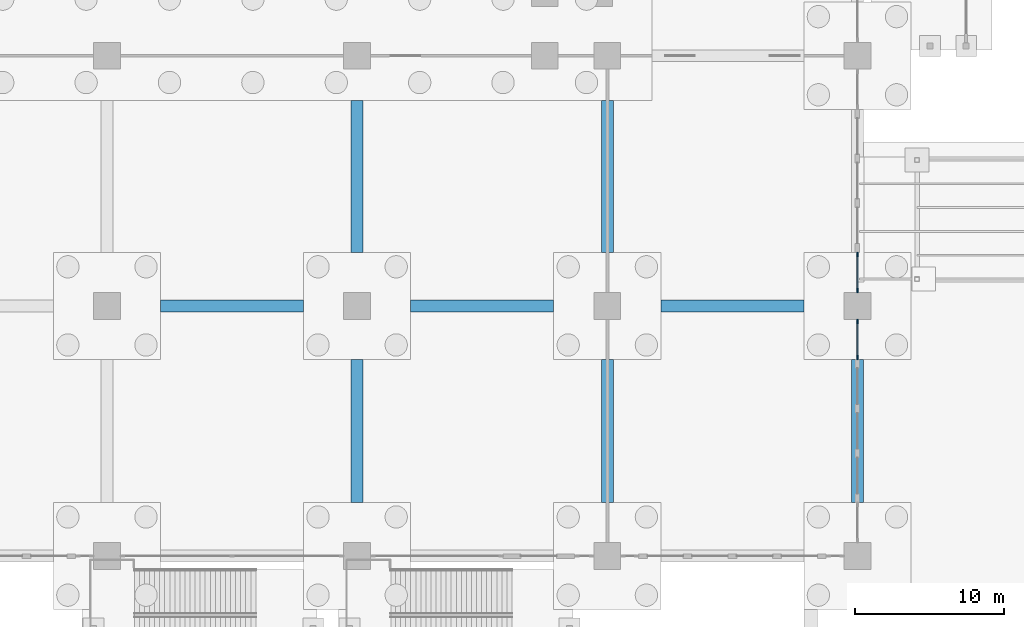
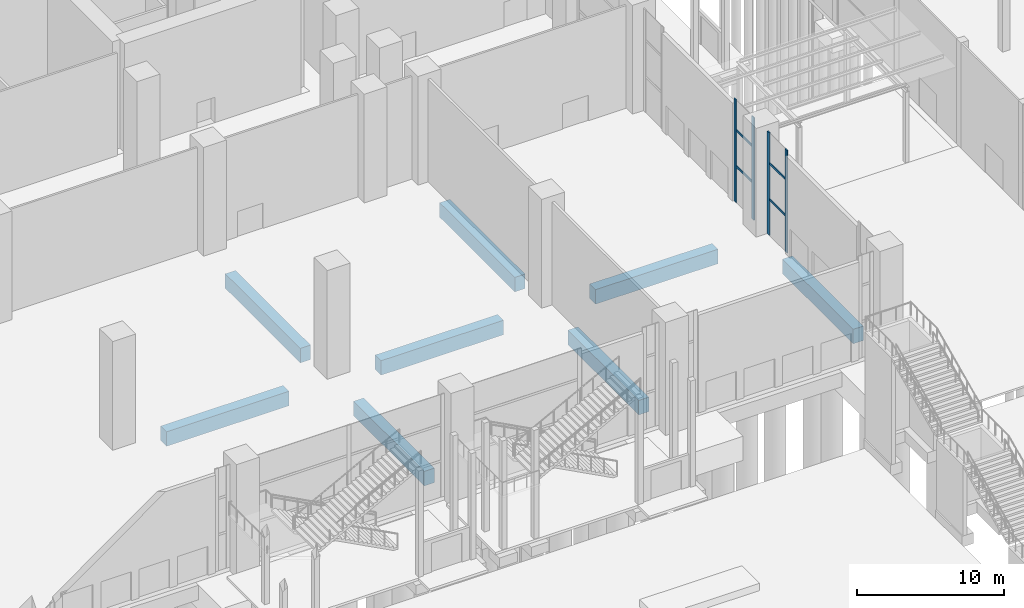
# One storey, part 20 of 72: 8 beams, 8 members, 2 elements without a shape of their own.
"""IFC4 building model written with IfcOpenShell, lengths in metres."""

from ifc_helpers import new_model, si_unit, direction, frame, origin, origin_2d, place, context, subcontext, project, spatial, rectangle, extrude, material, material_profile, profile_set, type_object, element, aggregate, save


model = new_model("IFC4")

# Units and contexts
model_context = context("Model", 3, precision=1e-05, world=origin(), true_north=direction((0.0, 1.0)))
body_context = subcontext(model_context, "Body", "Model", "MODEL_VIEW")
ifc_project = project(units=[si_unit("LENGTHUNIT", "METRE"), si_unit("AREAUNIT", "SQUARE_METRE"), si_unit("VOLUMEUNIT", "CUBIC_METRE"), si_unit("PLANEANGLEUNIT", "RADIAN"), si_unit("MASSUNIT", "GRAM", prefix="KILO")], contexts=[model_context])

# Site, building, storey
site_placement = place(None, origin())
site = spatial("IfcSite", under=ifc_project, at=site_placement, CompositionType="ELEMENT")
building_placement = place(site_placement, origin())
building = spatial("IfcBuilding", under=site, at=building_placement, Name="Candeia Pilgrim Tower and Theatre", CompositionType="ELEMENT")
storey_placement = place(building_placement, origin())
storey = spatial("IfcBuildingStorey", under=building, at=storey_placement, Name="L00", CompositionType="ELEMENT", Elevation=0.0)

# Curtain wall, members
ifc_material_1 = material(Name="Aluminium framed podium glazing", Category="aluminium")
curtain_wall_type = type_object("IfcCurtainWallType", Name="CW-P curtain wall", PredefinedType="NOTDEFINED", material=ifc_material_1)
curtain_wall_1_placement = place(storey_placement, origin())
curtain_wall_1 = element("IfcCurtainWall", 1, at=curtain_wall_1_placement, inside=storey, type_object=curtain_wall_type, Name="Curtain wall CW-P L00.251", PredefinedType="NOTDEFINED")
ifc_material_2 = material(Name="Anodised aluminium", Category="aluminium")
ifc_material_profile_1 = material_profile(ifc_material_2, rectangle(XDim=0.080078125, YDim=0.300048828125, at=origin_2d()))
ifc_profile_set_1 = profile_set([ifc_material_profile_1], Name="Anodised aluminium")
member_type_1 = type_object("IfcMemberType", Name="CW-P mullion 80x300", PredefinedType="MULLION", material=ifc_profile_set_1)
member_1_placement = place(storey_placement, frame((159.60009765625, 84.64990234375, 0.0), z_axis=(0.0, 0.0, 1.0), x_axis=(1.0, 0.0, 0.0)))
member_1 = element("IfcMember", 2, at=member_1_placement, type_object=member_type_1, Name="CW-P mullion 1", PredefinedType="MULLION", context=body_context, shape_type="SweptSolid", body=[
    extrude(rectangle(XDim=0.080078125, YDim=0.300048828125, at=origin_2d()), origin(), (0.0, 0.0, 1.0), 8.5),
])
member_2_placement = place(storey_placement, frame((159.60009765625, 82.25, 0.0), z_axis=(0.0, 0.0, 1.0), x_axis=(1.0, 0.0, 0.0)))
member_2 = element("IfcMember", 3, at=member_2_placement, type_object=member_type_1, Name="CW-P mullion 2", PredefinedType="MULLION", context=body_context, shape_type="SweptSolid", body=[
    extrude(rectangle(XDim=0.080078125, YDim=0.300048828125, at=origin_2d()), origin(), (0.0, 0.0, 1.0), 8.5),
])

curtain_wall_2_placement = place(storey_placement, origin())
curtain_wall_2 = element("IfcCurtainWall", 4, at=curtain_wall_2_placement, inside=storey, type_object=curtain_wall_type, Name="Curtain wall CW-P L00.260", PredefinedType="NOTDEFINED")
member_3_placement = place(storey_placement, frame((159.60009765625, 80.14990234375, 0.0), z_axis=(0.0, 0.0, 1.0), x_axis=(1.0, 0.0, 0.0)))
member_3 = element("IfcMember", 5, at=member_3_placement, type_object=member_type_1, Name="CW-P mullion 1", PredefinedType="MULLION", context=body_context, shape_type="SweptSolid", body=[
    extrude(rectangle(XDim=0.080078125, YDim=0.300048828125, at=origin_2d()), origin(), (0.0, 0.0, 1.0), 8.5),
])
member_4_placement = place(storey_placement, frame((159.60009765625, 77.75, 0.0), z_axis=(0.0, 0.0, 1.0), x_axis=(1.0, 0.0, 0.0)))
member_4 = element("IfcMember", 6, at=member_4_placement, type_object=member_type_1, Name="CW-P mullion 2", PredefinedType="MULLION", context=body_context, shape_type="SweptSolid", body=[
    extrude(rectangle(XDim=0.080078125, YDim=0.300048828125, at=origin_2d()), origin(), (0.0, 0.0, 1.0), 8.5),
])

# Member
ifc_material_profile_2 = material_profile(ifc_material_2, rectangle(XDim=0.080078125, YDim=0.179931640625, at=origin_2d()))
ifc_profile_set_2 = profile_set([ifc_material_profile_2], Name="Anodised aluminium")
member_type_2 = type_object("IfcMemberType", Name="CW-P transom 80x180", PredefinedType="USERDEFINED", material=ifc_profile_set_2)
member_5_placement = place(storey_placement, frame((159.60009765625, 84.610107421875, 3.0), z_axis=(0.0, -1.0, 0.0), x_axis=(1.0, 0.0, 0.0)))
member_5 = element("IfcMember", 7, at=member_5_placement, type_object=member_type_2, Name="CW-P transom 1.1", ObjectType="TRANSOM", PredefinedType="USERDEFINED", context=body_context, shape_type="SweptSolid", body=[
    extrude(rectangle(XDim=0.080078125, YDim=0.179931640625, at=origin_2d()), origin(), (0.0, 0.0, 1.0), 2.320068359375),
])

member_6_placement = place(storey_placement, frame((159.60009765625, 84.610107421875, 6.0), z_axis=(0.0, -1.0, 0.0), x_axis=(1.0, 0.0, 0.0)))
member_6 = element("IfcMember", 8, at=member_6_placement, type_object=member_type_2, Name="CW-P transom 1.2", ObjectType="TRANSOM", PredefinedType="USERDEFINED", context=body_context, shape_type="SweptSolid", body=[
    extrude(rectangle(XDim=0.080078125, YDim=0.179931640625, at=origin_2d()), origin(), (0.0, 0.0, 1.0), 2.320068359375),
])

aggregate(curtain_wall_1, [member_1, member_2, member_5, member_6])

member_7_placement = place(storey_placement, frame((159.60009765625, 80.110107421875, 3.0), z_axis=(0.0, -1.0, 0.0), x_axis=(1.0, 0.0, 0.0)))
member_7 = element("IfcMember", 9, at=member_7_placement, type_object=member_type_2, Name="CW-P transom 1.1", ObjectType="TRANSOM", PredefinedType="USERDEFINED", context=body_context, shape_type="SweptSolid", body=[
    extrude(rectangle(XDim=0.080078125, YDim=0.179931640625, at=origin_2d()), origin(), (0.0, 0.0, 1.0), 2.320068359375),
])

member_8_placement = place(storey_placement, frame((159.60009765625, 80.110107421875, 6.0), z_axis=(0.0, -1.0, 0.0), x_axis=(1.0, 0.0, 0.0)))
member_8 = element("IfcMember", 10, at=member_8_placement, type_object=member_type_2, Name="CW-P transom 1.2", ObjectType="TRANSOM", PredefinedType="USERDEFINED", context=body_context, shape_type="SweptSolid", body=[
    extrude(rectangle(XDim=0.080078125, YDim=0.179931640625, at=origin_2d()), origin(), (0.0, 0.0, 1.0), 2.320068359375),
])

aggregate(curtain_wall_2, [member_3, member_4, member_7, member_8])

# Beams
ifc_material_3 = material(Name="Concrete C40/50", Category="concrete")
ifc_material_profile_3 = material_profile(ifc_material_3, rectangle(XDim=0.800048828125, YDim=1.199951171875, at=origin_2d()))
ifc_profile_set_3 = profile_set([ifc_material_profile_3], Name="Concrete C40/50")
beam_type = type_object("IfcBeamType", Name="RC 800x1200 C40/50", PredefinedType="BEAM", material=ifc_profile_set_3)
beam_1_placement = place(storey_placement, frame((112.800048828125, 81.199951171875, -0.949951171875), z_axis=(1.0, 0.0, 0.0), x_axis=(0.0, 1.0, 0.0)))
element("IfcBeam", 11, at=beam_1_placement, inside=storey, type_object=beam_type, Name="Ground beam 007", PredefinedType="BEAM", context=body_context, shape_type="SweptSolid", body=[
    extrude(rectangle(XDim=0.800048828125, YDim=1.199951171875, at=origin_2d()), origin(), (0.0, 0.0, 1.0), 9.599853515625),
])
beam_2_placement = place(storey_placement, frame((126.0, 77.60009765625, -0.949951171875), z_axis=(0.0, -1.0, 0.0), x_axis=(1.0, 0.0, 0.0)))
element("IfcBeam", 12, at=beam_2_placement, inside=storey, type_object=beam_type, Name="Ground beam 009", PredefinedType="BEAM", context=body_context, shape_type="SweptSolid", body=[
    extrude(rectangle(XDim=0.800048828125, YDim=1.199951171875, at=origin_2d()), origin(), (0.0, 0.0, 1.0), 9.60009765625),
])
beam_3_placement = place(storey_placement, frame((129.60009765625, 81.199951171875, -0.949951171875), z_axis=(1.0, 0.0, 0.0), x_axis=(0.0, 1.0, 0.0)))
element("IfcBeam", 13, at=beam_3_placement, inside=storey, type_object=beam_type, Name="Ground beam 010", PredefinedType="BEAM", context=body_context, shape_type="SweptSolid", body=[
    extrude(rectangle(XDim=0.800048828125, YDim=1.199951171875, at=origin_2d()), origin(), (0.0, 0.0, 1.0), 9.599853515625),
])
for number, where, z_axis, x_axis, name in (
    (14, (142.800048828125, 77.60009765625, -0.949951171875), (0.0, -1.0, 0.0), (1.0, 0.0, 0.0), "Ground beam 012"),
    (15, (146.39990234375, 81.199951171875, -0.949951171875), (1.0, 0.0, 0.0), (0.0, 1.0, 0.0), "Ground beam 013"),
    (16, (159.60009765625, 77.60009765625, -0.949951171875), (0.0, -1.0, 0.0), (1.0, 0.0, 0.0), "Ground beam 021"),
):
    element("IfcBeam", number, at=place(storey_placement, frame(where, z_axis=z_axis, x_axis=x_axis)), inside=storey, type_object=beam_type, Name=name, PredefinedType="BEAM", context=body_context, shape_type="SweptSolid", body=[
        extrude(rectangle(XDim=0.800048828125, YDim=1.199951171875, at=origin_2d()), origin(), (0.0, 0.0, 1.0), 9.60009765625),
    ])
for number, where, z_axis, x_axis, name in (
    (17, (126.0, 84.800048828125, -0.949951171875), (0.0, 1.0, 0.0), (-1.0, 0.0, 0.0), "Ground beam 046"),
    (18, (142.800048828125, 84.800048828125, -0.949951171875), (0.0, 1.0, 0.0), (-1.0, 0.0, 0.0), "Ground beam 047"),
):
    element("IfcBeam", number, at=place(storey_placement, frame(where, z_axis=z_axis, x_axis=x_axis)), inside=storey, type_object=beam_type, Name=name, PredefinedType="BEAM", context=body_context, shape_type="SweptSolid", body=[
        extrude(rectangle(XDim=0.800048828125, YDim=1.199951171875, at=origin_2d()), origin(), (0.0, 0.0, 1.0), 10.199951171875),
    ])

save(model, "model.ifc")
